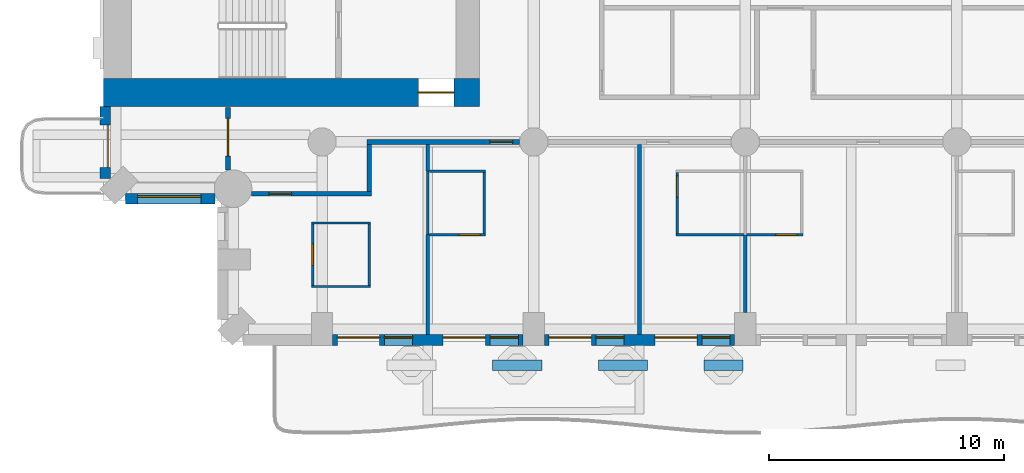
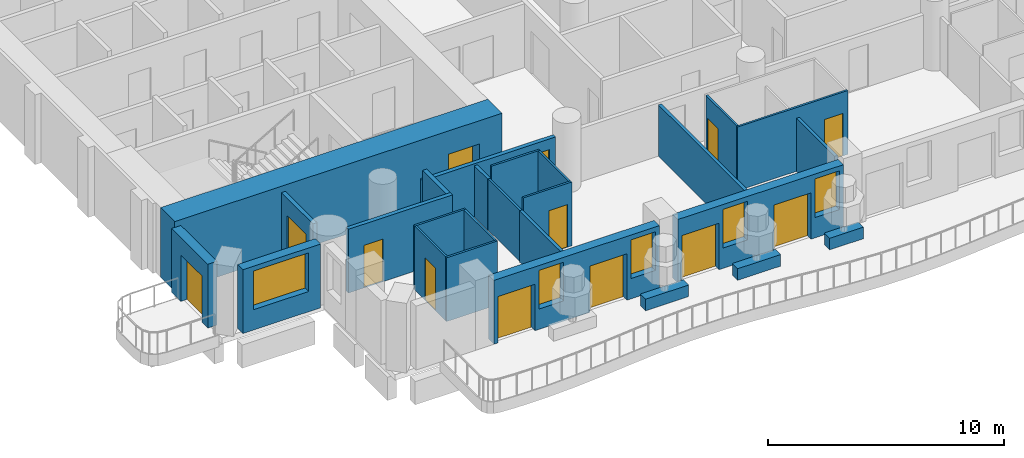
# One storey, part 3 of 20: 26 walls, 13 doors, 5 windows, 18 openings.
"""IFC4 building model written with IfcOpenShell, lengths in metres."""

from ifc_helpers import new_model, si_unit, direction, frame, frame_2d, origin, place, context, subcontext, project, spatial, rectangle, extrude, material, layer, layer_set, type_object, element, fill, save


model = new_model("IFC4")

# Units and contexts
model_context = context("Model", 3, precision=1e-05, world=origin(), true_north=direction((0.0, 1.0)))
body_context = subcontext(model_context, "Body", "Model", "MODEL_VIEW")
ifc_project = project(units=[si_unit("LENGTHUNIT", "METRE"), si_unit("AREAUNIT", "SQUARE_METRE"), si_unit("VOLUMEUNIT", "CUBIC_METRE"), si_unit("PLANEANGLEUNIT", "RADIAN"), si_unit("MASSUNIT", "GRAM", prefix="KILO")], contexts=[model_context])

# Site, building, storey
site_placement = place(None, origin())
site = spatial("IfcSite", under=ifc_project, at=site_placement, CompositionType="ELEMENT")
building_placement = place(site_placement, origin())
building = spatial("IfcBuilding", under=site, at=building_placement, Name="Cypress Arch Tower", CompositionType="ELEMENT")
storey_placement = place(building_placement, frame((0.0, 0.0, 95.10009765625)))
storey = spatial("IfcBuildingStorey", under=building, at=storey_placement, Name="L18", CompositionType="ELEMENT", Elevation=95.10009765625)

# Walls
ifc_material_1 = material(Name="Concrete C40/50, waterproofed", Category="concrete")
ifc_layer_1 = layer(ifc_material_1, 0.449951171875)
ifc_layer_set_1 = layer_set([ifc_layer_1], Name="Balcony planter wall PW450")
wall_type_1 = type_object("IfcWallType", Name="Balcony planter wall PW450", PredefinedType="SOLIDWALL", material=ifc_layer_set_1)
for number, where, z_axis, x_axis, name in (
    (1, (-13.449951171875, -27.0, 0.0), (0.0, 0.0, 1.0), (1.0, 0.0, 0.0), "Balcony planter wall L18-A03.2"),
    (2, (-8.949951171875, -27.0, 0.0), (0.0, 0.0, 1.0), (1.0, 0.0, 0.0), "Balcony planter wall L18-A03.3"),
):
    element("IfcWall", number, at=place(storey_placement, frame(where, z_axis=z_axis, x_axis=x_axis)), inside=storey, type_object=wall_type_1, Name=name, PredefinedType="SOLIDWALL", context=body_context, shape_type="SweptSolid", body=[
        extrude(rectangle(XDim=2.099853515625, YDim=0.449951171875, at=frame_2d((1.0498046875, 0.0))), origin(), (0.0, 0.0, 1.0), 0.599853515625),
    ])
wall_1_placement = place(storey_placement, frame((-4.449951171875, -27.0, 0.0), z_axis=(0.0, 0.0, 1.0), x_axis=(1.0, 0.0, 0.0)))
element("IfcWall", 3, at=wall_1_placement, inside=storey, type_object=wall_type_1, Name="Balcony planter wall L18-A03.4", PredefinedType="SOLIDWALL", context=body_context, shape_type="SweptSolid", body=[
    extrude(rectangle(XDim=1.64990234375, YDim=0.449951171875, at=frame_2d((0.824951171875, 0.0))), origin(), (0.0, 0.0, 1.0), 0.599853515625),
])

# Wall, opening, door
ifc_material_2 = material(Name="Brick (red buff blend)", Category="masonry")
ifc_layer_2 = layer(ifc_material_2, 0.449951171875)
ifc_layer_set_2 = layer_set([ifc_layer_2], Name="Brick pier and spandrel wall BW450")
wall_type_2 = type_object("IfcWallType", Name="Brick pier and spandrel wall BW450", PredefinedType="SOLIDWALL", material=ifc_layer_set_2)
wall_2_placement = place(storey_placement, frame((-29.925048828125, -16.0, 0.0), z_axis=(0.0, 0.0, 1.0), x_axis=(0.0, -1.0, 0.0)))
wall_2 = element("IfcWall", 4, at=wall_2_placement, inside=storey, type_object=wall_type_2, Name="Brick wall L18 A00.0.1", PredefinedType="SOLIDWALL", context=body_context, shape_type="SweptSolid", body=[
    extrude(rectangle(XDim=3.063720703125, YDim=0.449951171875, at=frame_2d((1.53173828125, 0.0))), origin(), (0.0, 0.0, 1.0), 3.2998046875),
])
opening_1_placement = place(wall_2_placement, frame((0.78173828125, 0.0, 0.0)))
opening_1 = element("IfcOpeningElement", 5, at=opening_1_placement, cuts=wall_2, Name="Opening D-L18-A00.0.1.9", PredefinedType="OPENING", context=body_context, shape_type="SweptSolid", body=[
    extrude(rectangle(XDim=1.800048828125, YDim=2.39990234375, at=frame_2d((0.89990234375, 1.199951171875))), frame((0.0, 0.23486328125, 0.0), z_axis=(0.0, -1.0, 0.0), x_axis=(1.0, 0.0, 0.0)), (0.0, 0.0, 1.0), 0.469970703125),
])
ifc_material_3 = material(Name="Anodised aluminium, bronze finish, laminated low-emissivity double glazing, large-missile impact rated", Category="aluminium")
door_type_1 = type_object("IfcDoorType", Name="Balcony sliding door 1800x2400", OperationType="SLIDING_TO_LEFT", PredefinedType="DOOR", material=ifc_material_3)
door_1_placement = place(opening_1_placement, origin())
door_1 = element("IfcDoor", 6, at=door_1_placement, inside=storey, type_object=door_type_1, Name="Balcony door L18 A00.0.1.9", OperationType="SLIDING_TO_LEFT", OverallHeight=2.39990234375, OverallWidth=1.800048828125, PredefinedType="DOOR", context=body_context, shape_type="SweptSolid", body=[
    extrude(rectangle(XDim=1.800048828125, YDim=2.39990234375, at=frame_2d((0.89990234375, 1.199951171875))), frame((0.0, 0.1298828125, 0.0), z_axis=(0.0, -1.0, 0.0), x_axis=(1.0, 0.0, 0.0)), (0.0, 0.0, 1.0), 0.050048828125),
])
fill(opening_1, door_1)

# Wall, opening, window
wall_3_placement = place(storey_placement, frame((-29.063720703125, -19.925048828125, 0.0), z_axis=(0.0, 0.0, 1.0), x_axis=(1.0, 0.0, 0.0)))
wall_3 = element("IfcWall", 7, at=wall_3_placement, inside=storey, type_object=wall_type_2, Name="Brick wall L18 A01.0", PredefinedType="SOLIDWALL", context=body_context, shape_type="SweptSolid", body=[
    extrude(rectangle(XDim=3.80517578125, YDim=0.449951171875, at=frame_2d((1.902587890625, 0.0))), origin(), (0.0, 0.0, 1.0), 3.2998046875),
])
opening_2_placement = place(wall_3_placement, frame((0.513671875, 0.0, 1.050048828125)))
opening_2 = element("IfcOpeningElement", 8, at=opening_2_placement, cuts=wall_3, Name="Opening W270H", PredefinedType="OPENING", context=body_context, shape_type="SweptSolid", body=[
    extrude(rectangle(XDim=2.699951171875, YDim=2.0, at=frame_2d((1.35009765625, 1.0))), frame((0.0, 0.23486328125, 0.0), z_axis=(0.0, -1.0, 0.0), x_axis=(1.0, 0.0, 0.0)), (0.0, 0.0, 1.0), 0.469970703125),
])
ifc_material_4 = material(Name="Anodised aluminium, bronze finish, clear low-emissivity double glazing", Category="aluminium")
window_type_1 = type_object("IfcWindowType", Name="Window Hotel 2700x2000", PartitioningType="SINGLE_PANEL", PredefinedType="WINDOW", material=ifc_material_4)
window_1_placement = place(opening_2_placement, origin())
window_1 = element("IfcWindow", 9, at=window_1_placement, inside=storey, type_object=window_type_1, Name="Window L18 A01.0.1", OverallHeight=2.0, OverallWidth=2.699951171875, PartitioningType="SINGLE_PANEL", PredefinedType="WINDOW", context=body_context, shape_type="SweptSolid", body=[
    extrude(rectangle(XDim=2.699951171875, YDim=2.0, at=frame_2d((1.35009765625, 1.0))), frame((0.0, 0.135009765625, 0.0), z_axis=(0.0, -1.0, 0.0), x_axis=(1.0, 0.0, 0.0)), (0.0, 0.0, 1.0), 0.06005859375),
])
fill(opening_2, window_1)

# Wall, openings, doors, windows
wall_4_placement = place(storey_placement, frame((-20.25, -25.925048828125, 0.0), z_axis=(0.0, 0.0, 1.0), x_axis=(1.0, 0.0, 0.0)))
wall_4 = element("IfcWall", 10, at=wall_4_placement, inside=storey, type_object=wall_type_2, Name="Brick wall L18 A03.1", PredefinedType="SOLIDWALL", context=body_context, shape_type="SweptSolid", body=[
    extrude(rectangle(XDim=8.10009765625, YDim=0.449951171875, at=frame_2d((4.050048828125, 0.0))), origin(), (0.0, 0.0, 1.0), 3.2998046875),
])
opening_3_placement = place(wall_4_placement, frame((0.199951171875, 0.0, 0.0)))
opening_3 = element("IfcOpeningElement", 11, at=opening_3_placement, cuts=wall_4, Name="Opening D-L18-A03.1.1", PredefinedType="OPENING", context=body_context, shape_type="SweptSolid", body=[
    extrude(rectangle(XDim=1.800048828125, YDim=2.39990234375, at=frame_2d((0.89990234375, 1.199951171875))), frame((0.0, 0.23486328125, 0.0), z_axis=(0.0, -1.0, 0.0), x_axis=(1.0, 0.0, 0.0)), (0.0, 0.0, 1.0), 0.469970703125),
])
opening_4_placement = place(wall_4_placement, frame((2.199951171875, 0.0, 1.050048828125)))
opening_4 = element("IfcOpeningElement", 12, at=opening_4_placement, cuts=wall_4, Name="Opening W120HD", PredefinedType="OPENING", context=body_context, shape_type="SweptSolid", body=[
    extrude(rectangle(XDim=1.199951171875, YDim=2.0, at=frame_2d((0.60009765625, 1.0))), frame((0.0, 0.23486328125, 0.0), z_axis=(0.0, -1.0, 0.0), x_axis=(1.0, 0.0, 0.0)), (0.0, 0.0, 1.0), 0.469970703125),
])
opening_5_placement = place(wall_4_placement, frame((4.699951171875, 0.0, 0.0)))
opening_5 = element("IfcOpeningElement", 13, at=opening_5_placement, cuts=wall_4, Name="Opening D-L18-A03.1.2", PredefinedType="OPENING", context=body_context, shape_type="SweptSolid", body=[
    extrude(rectangle(XDim=1.800048828125, YDim=2.39990234375, at=frame_2d((0.89990234375, 1.199951171875))), frame((0.0, 0.23486328125, 0.0), z_axis=(0.0, -1.0, 0.0), x_axis=(1.0, 0.0, 0.0)), (0.0, 0.0, 1.0), 0.469970703125),
])
opening_6_placement = place(wall_4_placement, frame((6.699951171875, 0.0, 1.050048828125)))
opening_6 = element("IfcOpeningElement", 14, at=opening_6_placement, cuts=wall_4, Name="Opening W120HD", PredefinedType="OPENING", context=body_context, shape_type="SweptSolid", body=[
    extrude(rectangle(XDim=1.199951171875, YDim=2.0, at=frame_2d((0.60009765625, 1.0))), frame((0.0, 0.23486328125, 0.0), z_axis=(0.0, -1.0, 0.0), x_axis=(1.0, 0.0, 0.0)), (0.0, 0.0, 1.0), 0.469970703125),
])
door_2_placement = place(opening_3_placement, origin())
door_2 = element("IfcDoor", 15, at=door_2_placement, inside=storey, type_object=door_type_1, Name="Balcony door L18 A03.1.1", OperationType="SLIDING_TO_LEFT", OverallHeight=2.39990234375, OverallWidth=1.800048828125, PredefinedType="DOOR", context=body_context, shape_type="SweptSolid", body=[
    extrude(rectangle(XDim=1.800048828125, YDim=2.39990234375, at=frame_2d((0.89990234375, 1.199951171875))), frame((0.0, 0.1298828125, 0.0), z_axis=(0.0, -1.0, 0.0), x_axis=(1.0, 0.0, 0.0)), (0.0, 0.0, 1.0), 0.050048828125),
])
fill(opening_3, door_2)
door_3_placement = place(opening_5_placement, origin())
door_3 = element("IfcDoor", 16, at=door_3_placement, inside=storey, type_object=door_type_1, Name="Balcony door L18 A03.1.2", OperationType="SLIDING_TO_LEFT", OverallHeight=2.39990234375, OverallWidth=1.800048828125, PredefinedType="DOOR", context=body_context, shape_type="SweptSolid", body=[
    extrude(rectangle(XDim=1.800048828125, YDim=2.39990234375, at=frame_2d((0.89990234375, 1.199951171875))), frame((0.0, 0.1298828125, 0.0), z_axis=(0.0, -1.0, 0.0), x_axis=(1.0, 0.0, 0.0)), (0.0, 0.0, 1.0), 0.050048828125),
])
fill(opening_5, door_3)
ifc_material_5 = material(Name="Anodised aluminium, bronze finish, laminated low-emissivity double glazing, large-missile impact rated", Category="aluminium")
window_type_2 = type_object("IfcWindowType", Name="Window Hotel 1200x2000 debris-rated", PartitioningType="SINGLE_PANEL", PredefinedType="WINDOW", material=ifc_material_5)
window_2_placement = place(opening_4_placement, origin())
window_2 = element("IfcWindow", 17, at=window_2_placement, inside=storey, type_object=window_type_2, Name="Window L18 A03.1.1", OverallHeight=2.0, OverallWidth=1.199951171875, PartitioningType="SINGLE_PANEL", PredefinedType="WINDOW", context=body_context, shape_type="SweptSolid", body=[
    extrude(rectangle(XDim=1.199951171875, YDim=2.0, at=frame_2d((0.60009765625, 1.0))), frame((0.0, 0.135009765625, 0.0), z_axis=(0.0, -1.0, 0.0), x_axis=(1.0, 0.0, 0.0)), (0.0, 0.0, 1.0), 0.06005859375),
])
fill(opening_4, window_2)
window_3_placement = place(opening_6_placement, origin())
window_3 = element("IfcWindow", 18, at=window_3_placement, inside=storey, type_object=window_type_2, Name="Window L18 A03.1.2", OverallHeight=2.0, OverallWidth=1.199951171875, PartitioningType="SINGLE_PANEL", PredefinedType="WINDOW", context=body_context, shape_type="SweptSolid", body=[
    extrude(rectangle(XDim=1.199951171875, YDim=2.0, at=frame_2d((0.60009765625, 1.0))), frame((0.0, 0.135009765625, 0.0), z_axis=(0.0, -1.0, 0.0), x_axis=(1.0, 0.0, 0.0)), (0.0, 0.0, 1.0), 0.06005859375),
])
fill(opening_6, window_3)

wall_5_placement = place(storey_placement, frame((-11.25, -25.925048828125, 0.0), z_axis=(0.0, 0.0, 1.0), x_axis=(1.0, 0.0, 0.0)))
wall_5 = element("IfcWall", 19, at=wall_5_placement, inside=storey, type_object=wall_type_2, Name="Brick wall L18 A03.2", PredefinedType="SOLIDWALL", context=body_context, shape_type="SweptSolid", body=[
    extrude(rectangle(XDim=8.10009765625, YDim=0.449951171875, at=frame_2d((4.050048828125, 0.0))), origin(), (0.0, 0.0, 1.0), 3.2998046875),
])
opening_7_placement = place(wall_5_placement, frame((0.199951171875, 0.0, 0.0)))
opening_7 = element("IfcOpeningElement", 20, at=opening_7_placement, cuts=wall_5, Name="Opening D-L18-A03.2.1", PredefinedType="OPENING", context=body_context, shape_type="SweptSolid", body=[
    extrude(rectangle(XDim=1.800048828125, YDim=2.39990234375, at=frame_2d((0.89990234375, 1.199951171875))), frame((0.0, 0.23486328125, 0.0), z_axis=(0.0, -1.0, 0.0), x_axis=(1.0, 0.0, 0.0)), (0.0, 0.0, 1.0), 0.469970703125),
])
opening_8_placement = place(wall_5_placement, frame((2.199951171875, 0.0, 1.050048828125)))
opening_8 = element("IfcOpeningElement", 21, at=opening_8_placement, cuts=wall_5, Name="Opening W120HD", PredefinedType="OPENING", context=body_context, shape_type="SweptSolid", body=[
    extrude(rectangle(XDim=1.199951171875, YDim=2.0, at=frame_2d((0.60009765625, 1.0))), frame((0.0, 0.23486328125, 0.0), z_axis=(0.0, -1.0, 0.0), x_axis=(1.0, 0.0, 0.0)), (0.0, 0.0, 1.0), 0.469970703125),
])
opening_9_placement = place(wall_5_placement, frame((4.699951171875, 0.0, 0.0)))
opening_9 = element("IfcOpeningElement", 22, at=opening_9_placement, cuts=wall_5, Name="Opening D-L18-A03.2.2", PredefinedType="OPENING", context=body_context, shape_type="SweptSolid", body=[
    extrude(rectangle(XDim=1.800048828125, YDim=2.39990234375, at=frame_2d((0.89990234375, 1.199951171875))), frame((0.0, 0.23486328125, 0.0), z_axis=(0.0, -1.0, 0.0), x_axis=(1.0, 0.0, 0.0)), (0.0, 0.0, 1.0), 0.469970703125),
])
opening_10_placement = place(wall_5_placement, frame((6.699951171875, 0.0, 1.050048828125)))
opening_10 = element("IfcOpeningElement", 23, at=opening_10_placement, cuts=wall_5, Name="Opening W120HD", PredefinedType="OPENING", context=body_context, shape_type="SweptSolid", body=[
    extrude(rectangle(XDim=1.199951171875, YDim=2.0, at=frame_2d((0.60009765625, 1.0))), frame((0.0, 0.23486328125, 0.0), z_axis=(0.0, -1.0, 0.0), x_axis=(1.0, 0.0, 0.0)), (0.0, 0.0, 1.0), 0.469970703125),
])
door_4_placement = place(opening_7_placement, origin())
door_4 = element("IfcDoor", 24, at=door_4_placement, inside=storey, type_object=door_type_1, Name="Balcony door L18 A03.2.1", OperationType="SLIDING_TO_LEFT", OverallHeight=2.39990234375, OverallWidth=1.800048828125, PredefinedType="DOOR", context=body_context, shape_type="SweptSolid", body=[
    extrude(rectangle(XDim=1.800048828125, YDim=2.39990234375, at=frame_2d((0.89990234375, 1.199951171875))), frame((0.0, 0.1298828125, 0.0), z_axis=(0.0, -1.0, 0.0), x_axis=(1.0, 0.0, 0.0)), (0.0, 0.0, 1.0), 0.050048828125),
])
fill(opening_7, door_4)
door_5_placement = place(opening_9_placement, origin())
door_5 = element("IfcDoor", 25, at=door_5_placement, inside=storey, type_object=door_type_1, Name="Balcony door L18 A03.2.2", OperationType="SLIDING_TO_LEFT", OverallHeight=2.39990234375, OverallWidth=1.800048828125, PredefinedType="DOOR", context=body_context, shape_type="SweptSolid", body=[
    extrude(rectangle(XDim=1.800048828125, YDim=2.39990234375, at=frame_2d((0.89990234375, 1.199951171875))), frame((0.0, 0.1298828125, 0.0), z_axis=(0.0, -1.0, 0.0), x_axis=(1.0, 0.0, 0.0)), (0.0, 0.0, 1.0), 0.050048828125),
])
fill(opening_9, door_5)
window_4_placement = place(opening_8_placement, origin())
window_4 = element("IfcWindow", 26, at=window_4_placement, inside=storey, type_object=window_type_2, Name="Window L18 A03.2.1", OverallHeight=2.0, OverallWidth=1.199951171875, PartitioningType="SINGLE_PANEL", PredefinedType="WINDOW", context=body_context, shape_type="SweptSolid", body=[
    extrude(rectangle(XDim=1.199951171875, YDim=2.0, at=frame_2d((0.60009765625, 1.0))), frame((0.0, 0.135009765625, 0.0), z_axis=(0.0, -1.0, 0.0), x_axis=(1.0, 0.0, 0.0)), (0.0, 0.0, 1.0), 0.06005859375),
])
fill(opening_8, window_4)
window_5_placement = place(opening_10_placement, origin())
window_5 = element("IfcWindow", 27, at=window_5_placement, inside=storey, type_object=window_type_2, Name="Window L18 A03.2.2", OverallHeight=2.0, OverallWidth=1.199951171875, PartitioningType="SINGLE_PANEL", PredefinedType="WINDOW", context=body_context, shape_type="SweptSolid", body=[
    extrude(rectangle(XDim=1.199951171875, YDim=2.0, at=frame_2d((0.60009765625, 1.0))), frame((0.0, 0.135009765625, 0.0), z_axis=(0.0, -1.0, 0.0), x_axis=(1.0, 0.0, 0.0)), (0.0, 0.0, 1.0), 0.06005859375),
])
fill(opening_10, window_5)

# Wall, opening, door
ifc_material_6 = material(Name="Concrete C80/95", Category="concrete")
ifc_layer_3 = layer(ifc_material_6, 1.199951171875)
ifc_layer_set_3 = layer_set([ifc_layer_3], Name="Core wall CW1200 C80/95")
wall_type_3 = type_object("IfcWallType", Name="Core wall CW1200 C80/95", PredefinedType="SHEAR", material=ifc_layer_set_3)
wall_6_placement = place(storey_placement, frame((-30.0, -15.39990234375, 0.0), z_axis=(0.0, 0.0, 1.0), x_axis=(1.0, 0.0, 0.0)))
wall_6 = element("IfcWall", 28, at=wall_6_placement, inside=storey, type_object=wall_type_3, Name="Core wall", PredefinedType="SHEAR", context=body_context, shape_type="SweptSolid", body=[
    extrude(rectangle(XDim=16.0, YDim=1.199951171875, at=frame_2d((8.0, 0.0))), origin(), (0.0, 0.0, 1.0), 3.599853515625),
])
opening_11_placement = place(wall_6_placement, frame((13.39990234375, 0.0, 0.0)))
opening_11 = element("IfcOpeningElement", 29, at=opening_11_placement, cuts=wall_6, Name="Opening D07", PredefinedType="OPENING", context=body_context, shape_type="SweptSolid", body=[
    extrude(rectangle(XDim=1.5, YDim=2.39990234375, at=frame_2d((0.75, 1.199951171875))), frame((0.0, 0.60986328125, 0.0), z_axis=(0.0, -1.0, 0.0), x_axis=(1.0, 0.0, 0.0)), (0.0, 0.0, 1.0), 1.219970703125),
])
ifc_material_7 = material(Name="Steel framed glazed door, fire resisting", Category="steel")
door_type_2 = type_object("IfcDoorType", Name="Lobby door D07 1500x2400", OperationType="DOUBLE_DOOR_SINGLE_SWING", PredefinedType="DOOR", material=ifc_material_7)
door_6_placement = place(opening_11_placement, origin())
door_6 = element("IfcDoor", 30, at=door_6_placement, inside=storey, type_object=door_type_2, Name="Lobby door", OperationType="DOUBLE_DOOR_SINGLE_SWING", OverallHeight=2.39990234375, OverallWidth=1.5, PredefinedType="DOOR", context=body_context, shape_type="SweptSolid", body=[
    extrude(rectangle(XDim=1.5, YDim=2.39990234375, at=frame_2d((0.75, 1.199951171875))), frame((0.0, 0.02490234375, 0.0), z_axis=(0.0, -1.0, 0.0), x_axis=(1.0, 0.0, 0.0)), (0.0, 0.0, 1.0), 0.050048828125),
])
fill(opening_11, door_6)

ifc_material_8 = material(Name="Concrete blockwork, plastered, rated", Category="masonry")
ifc_layer_4 = layer(ifc_material_8, 0.199951171875)
ifc_layer_set_4 = layer_set([ifc_layer_4], Name="Corridor wall FW200")
wall_type_4 = type_object("IfcWallType", Name="Corridor wall FW200", PredefinedType="PARTITIONING", material=ifc_layer_set_4)
wall_7_placement = place(storey_placement, frame((-24.699951171875, -18.7001953125, 0.0), z_axis=(0.0, 0.0, 1.0), x_axis=(0.0, 1.0, 0.0)))
wall_7 = element("IfcWall", 31, at=wall_7_placement, inside=storey, type_object=wall_type_4, Name="Corridor wall", PredefinedType="PARTITIONING", context=body_context, shape_type="SweptSolid", body=[
    extrude(rectangle(XDim=2.670166015625, YDim=0.199951171875, at=frame_2d((1.3349609375, 0.0))), origin(), (0.0, 0.0, 1.0), 3.2998046875),
])
opening_12_placement = place(wall_7_placement, frame((0.60009765625, 0.0, 0.0)))
opening_12 = element("IfcOpeningElement", 32, at=opening_12_placement, cuts=wall_7, Name="Opening D10", PredefinedType="OPENING", context=body_context, shape_type="SweptSolid", body=[
    extrude(rectangle(XDim=1.60009765625, YDim=2.39990234375, at=frame_2d((0.800048828125, 1.199951171875))), frame((0.0, 0.10986328125, 0.0), z_axis=(0.0, -1.0, 0.0), x_axis=(1.0, 0.0, 0.0)), (0.0, 0.0, 1.0), 0.219970703125),
])
ifc_material_9 = material(Name="Black aluminium glazed door", Category="aluminium")
door_type_3 = type_object("IfcDoorType", Name="Amenity door D10 1600x2400", OperationType="DOUBLE_DOOR_SINGLE_SWING", PredefinedType="DOOR", material=ifc_material_9)
door_7_placement = place(opening_12_placement, origin())
door_7 = element("IfcDoor", 33, at=door_7_placement, inside=storey, type_object=door_type_3, Name="Amenity door", OperationType="DOUBLE_DOOR_SINGLE_SWING", OverallHeight=2.39990234375, OverallWidth=1.60009765625, PredefinedType="DOOR", context=body_context, shape_type="SweptSolid", body=[
    extrude(rectangle(XDim=1.60009765625, YDim=2.39990234375, at=frame_2d((0.800048828125, 1.199951171875))), frame((0.0, 0.02490234375, 0.0), z_axis=(0.0, -1.0, 0.0), x_axis=(1.0, 0.0, 0.0)), (0.0, 0.0, 1.0), 0.050048828125),
])
fill(opening_12, door_7)

wall_8_placement = place(storey_placement, frame((-23.7001953125, -19.699951171875, 0.0), z_axis=(0.0, 0.0, 1.0), x_axis=(1.0, 0.0, 0.0)))
wall_8 = element("IfcWall", 34, at=wall_8_placement, inside=storey, type_object=wall_type_4, Name="Corridor wall", PredefinedType="PARTITIONING", context=body_context, shape_type="SweptSolid", body=[
    extrude(rectangle(XDim=5.10009765625, YDim=0.199951171875, at=frame_2d((2.550048828125, 0.0))), origin(), (0.0, 0.0, 1.0), 3.2998046875),
])
opening_13_placement = place(wall_8_placement, frame((0.75, 0.0, 0.0)))
opening_13 = element("IfcOpeningElement", 35, at=opening_13_placement, cuts=wall_8, Name="Opening D02", PredefinedType="OPENING", context=body_context, shape_type="SweptSolid", body=[
    extrude(rectangle(XDim=0.949951171875, YDim=2.199951171875, at=frame_2d((0.47509765625, 1.10009765625))), frame((0.0, 0.10986328125, 0.0), z_axis=(0.0, -1.0, 0.0), x_axis=(1.0, 0.0, 0.0)), (0.0, 0.0, 1.0), 0.219970703125),
])
ifc_material_10 = material(Name="Timber flush door, fire resisting", Category="wood")
door_type_4 = type_object("IfcDoorType", Name="Room door D02 950x2200", OperationType="SINGLE_SWING_LEFT", PredefinedType="DOOR", material=ifc_material_10)
door_8_placement = place(opening_13_placement, origin())
door_8 = element("IfcDoor", 36, at=door_8_placement, inside=storey, type_object=door_type_4, Name="Room door", OperationType="SINGLE_SWING_RIGHT", OverallHeight=2.199951171875, OverallWidth=0.949951171875, PredefinedType="DOOR", context=body_context, shape_type="SweptSolid", body=[
    extrude(rectangle(XDim=0.949951171875, YDim=2.199951171875, at=frame_2d((0.47509765625, 1.10009765625))), frame((0.0, 0.02490234375, 0.0), z_axis=(0.0, -1.0, 0.0), x_axis=(1.0, 0.0, 0.0)), (0.0, 0.0, 1.0), 0.050048828125),
])
fill(opening_13, door_8)

# Wall
wall_9_placement = place(storey_placement, frame((-18.699951171875, -19.60009765625, 0.0), z_axis=(0.0, 0.0, 1.0), x_axis=(0.0, 1.0, 0.0)))
element("IfcWall", 37, at=wall_9_placement, inside=storey, type_object=wall_type_4, Name="Corridor wall", PredefinedType="PARTITIONING", context=body_context, shape_type="SweptSolid", body=[
    extrude(rectangle(XDim=2.0, YDim=0.199951171875, at=frame_2d((1.0, 0.0))), origin(), (0.0, 0.0, 1.0), 3.2998046875),
])

# Wall, opening, door
wall_10_placement = place(storey_placement, frame((-18.800048828125, -17.5, 0.0), z_axis=(0.0, 0.0, 1.0), x_axis=(1.0, 0.0, 0.0)))
wall_10 = element("IfcWall", 38, at=wall_10_placement, inside=storey, type_object=wall_type_4, Name="Corridor wall", PredefinedType="PARTITIONING", context=body_context, shape_type="SweptSolid", body=[
    extrude(rectangle(XDim=6.5, YDim=0.199951171875, at=frame_2d((3.25, 0.0))), origin(), (0.0, 0.0, 1.0), 2.75),
])
opening_14_placement = place(wall_10_placement, frame((5.25, 0.0, 0.0)))
opening_14 = element("IfcOpeningElement", 39, at=opening_14_placement, cuts=wall_10, Name="Opening D02", PredefinedType="OPENING", context=body_context, shape_type="SweptSolid", body=[
    extrude(rectangle(XDim=0.949951171875, YDim=2.199951171875, at=frame_2d((0.47509765625, 1.10009765625))), frame((0.0, 0.10986328125, 0.0), z_axis=(0.0, -1.0, 0.0), x_axis=(1.0, 0.0, 0.0)), (0.0, 0.0, 1.0), 0.219970703125),
])
door_9_placement = place(opening_14_placement, origin())
door_9 = element("IfcDoor", 40, at=door_9_placement, inside=storey, type_object=door_type_4, Name="Room door", OperationType="SINGLE_SWING_LEFT", OverallHeight=2.199951171875, OverallWidth=0.949951171875, PredefinedType="DOOR", context=body_context, shape_type="SweptSolid", body=[
    extrude(rectangle(XDim=0.949951171875, YDim=2.199951171875, at=frame_2d((0.47509765625, 1.10009765625))), frame((0.0, 0.02490234375, 0.0), z_axis=(0.0, -1.0, 0.0), x_axis=(1.0, 0.0, 0.0)), (0.0, 0.0, 1.0), 0.050048828125),
])
fill(opening_14, door_9)

# Walls
ifc_material_11 = material(Name="Blockwork, plastered both sides", Category="masonry")
ifc_layer_5 = layer(ifc_material_11, 0.14990234375)
ifc_layer_set_5 = layer_set([ifc_layer_5], Name="Partition PW150")
wall_type_5 = type_object("IfcWallType", Name="Partition PW150", PredefinedType="PARTITIONING", material=ifc_layer_set_5)
wall_11_placement = place(storey_placement, frame((-16.199951171875, -25.699951171875, 0.0), z_axis=(0.0, 0.0, 1.0), x_axis=(0.0, 1.0, 0.0)))
element("IfcWall", 41, at=wall_11_placement, inside=storey, type_object=wall_type_5, Name="Partition", PredefinedType="PARTITIONING", context=body_context, shape_type="SweptSolid", body=[
    extrude(rectangle(XDim=4.27001953125, YDim=0.14990234375, at=frame_2d((2.135009765625, 0.0))), origin(), (0.0, 0.0, 1.0), 2.64990234375),
])
wall_12_placement = place(storey_placement, frame((-16.199951171875, -18.72998046875, 0.0), z_axis=(0.0, 0.0, 1.0), x_axis=(0.0, 1.0, 0.0)))
element("IfcWall", 42, at=wall_12_placement, inside=storey, type_object=wall_type_5, Name="Partition", PredefinedType="PARTITIONING", context=body_context, shape_type="SweptSolid", body=[
    extrude(rectangle(XDim=1.1298828125, YDim=0.14990234375, at=frame_2d((0.56494140625, 0.0))), origin(), (0.0, 0.0, 1.0), 2.64990234375),
])
wall_13_placement = place(storey_placement, frame((-7.199951171875, -25.699951171875, 0.0), z_axis=(0.0, 0.0, 1.0), x_axis=(0.0, 1.0, 0.0)))
element("IfcWall", 43, at=wall_13_placement, inside=storey, type_object=wall_type_5, Name="Partition", PredefinedType="PARTITIONING", context=body_context, shape_type="SweptSolid", body=[
    extrude(rectangle(XDim=8.099853515625, YDim=0.14990234375, at=frame_2d((4.0498046875, 0.0))), origin(), (0.0, 0.0, 1.0), 2.64990234375),
])
wall_14_placement = place(storey_placement, frame((-2.699951171875, -24.75, 0.0), z_axis=(0.0, 0.0, 1.0), x_axis=(0.0, 1.0, 0.0)))
element("IfcWall", 44, at=wall_14_placement, inside=storey, type_object=wall_type_5, Name="Partition", PredefinedType="PARTITIONING", context=body_context, shape_type="SweptSolid", body=[
    extrude(rectangle(XDim=3.300048828125, YDim=0.14990234375, at=frame_2d((1.64990234375, 0.0))), origin(), (0.0, 0.0, 1.0), 2.75),
])

# Wall, opening, door
ifc_material_12 = material(Name="Moisture resistant board on steel studs, tiled", Category="steel")
ifc_layer_6 = layer(ifc_material_12, 0.10009765625)
ifc_layer_set_6 = layer_set([ifc_layer_6], Name="Wet wall PW100")
wall_type_6 = type_object("IfcWallType", Name="Wet wall PW100", PredefinedType="PARTITIONING", material=ifc_layer_set_6)
wall_15_placement = place(storey_placement, frame((-21.10009765625, -23.60009765625, 0.0), z_axis=(0.0, 0.0, 1.0), x_axis=(0.0, 1.0, 0.0)))
wall_15 = element("IfcWall", 45, at=wall_15_placement, inside=storey, type_object=wall_type_6, Name="Wet wall", PredefinedType="PARTITIONING", context=body_context, shape_type="SweptSolid", body=[
    extrude(rectangle(XDim=2.60009765625, YDim=0.10009765625, at=frame_2d((1.300048828125, 0.0))), origin(), (0.0, 0.0, 1.0), 3.2998046875),
])
opening_15_placement = place(wall_15_placement, frame((0.85009765625, 0.0, 0.0)))
opening_15 = element("IfcOpeningElement", 46, at=opening_15_placement, cuts=wall_15, Name="Opening D03", PredefinedType="OPENING", context=body_context, shape_type="SweptSolid", body=[
    extrude(rectangle(XDim=0.89990234375, YDim=2.199951171875, at=frame_2d((0.449951171875, 1.10009765625))), frame((0.0, 0.06005859375, 0.0), z_axis=(0.0, -1.0, 0.0), x_axis=(1.0, 0.0, 0.0)), (0.0, 0.0, 1.0), 0.1201171875),
])
ifc_material_13 = material(Name="Timber flush door, moisture resistant", Category="wood")
door_type_5 = type_object("IfcDoorType", Name="Bathroom door D03 900x2200", OperationType="SINGLE_SWING_LEFT", PredefinedType="DOOR", material=ifc_material_13)
door_10_placement = place(opening_15_placement, origin())
door_10 = element("IfcDoor", 47, at=door_10_placement, inside=storey, type_object=door_type_5, Name="Bathroom door", OperationType="SINGLE_SWING_LEFT", OverallHeight=2.199951171875, OverallWidth=0.89990234375, PredefinedType="DOOR", context=body_context, shape_type="SweptSolid", body=[
    extrude(rectangle(XDim=0.89990234375, YDim=2.199951171875, at=frame_2d((0.449951171875, 1.10009765625))), frame((0.0, 0.02490234375, 0.0), z_axis=(0.0, -1.0, 0.0), x_axis=(1.0, 0.0, 0.0)), (0.0, 0.0, 1.0), 0.050048828125),
])
fill(opening_15, door_10)

# Walls
for number, where, z_axis, x_axis, name in (
    (48, (-21.14990234375, -23.64990234375, 0.0), (0.0, 0.0, 1.0), (1.0, 0.0, 0.0), "Wet wall"),
    (49, (-21.14990234375, -20.949951171875, 0.0), (0.0, 0.0, 1.0), (1.0, 0.0, 0.0), "Wet wall"),
):
    element("IfcWall", number, at=place(storey_placement, frame(where, z_axis=z_axis, x_axis=x_axis)), inside=storey, type_object=wall_type_6, Name=name, PredefinedType="PARTITIONING", context=body_context, shape_type="SweptSolid", body=[
        extrude(rectangle(XDim=2.5, YDim=0.10009765625, at=frame_2d((1.25, 0.0))), origin(), (0.0, 0.0, 1.0), 3.2998046875),
    ])
wall_16_placement = place(storey_placement, frame((-18.699951171875, -23.60009765625, 0.0), z_axis=(0.0, 0.0, 1.0), x_axis=(0.0, 1.0, 0.0)))
element("IfcWall", 50, at=wall_16_placement, inside=storey, type_object=wall_type_6, Name="Wet wall", PredefinedType="PARTITIONING", context=body_context, shape_type="SweptSolid", body=[
    extrude(rectangle(XDim=2.60009765625, YDim=0.10009765625, at=frame_2d((1.300048828125, 0.0))), origin(), (0.0, 0.0, 1.0), 3.2998046875),
])
wall_17_placement = place(storey_placement, frame((-16.199951171875, -21.429931640625, 0.0), z_axis=(0.0, 0.0, 1.0), x_axis=(0.0, 1.0, 0.0)))
element("IfcWall", 51, at=wall_17_placement, inside=storey, type_object=wall_type_6, Name="Wet wall", PredefinedType="PARTITIONING", context=body_context, shape_type="SweptSolid", body=[
    extrude(rectangle(XDim=2.699951171875, YDim=0.10009765625, at=frame_2d((1.35009765625, 0.0))), origin(), (0.0, 0.0, 1.0), 2.64990234375),
])

# Wall, opening, door
wall_18_placement = place(storey_placement, frame((-16.125, -21.449951171875, 0.0), z_axis=(0.0, 0.0, 1.0), x_axis=(1.0, 0.0, 0.0)))
wall_18 = element("IfcWall", 52, at=wall_18_placement, inside=storey, type_object=wall_type_6, Name="Wet wall", PredefinedType="PARTITIONING", context=body_context, shape_type="SweptSolid", body=[
    extrude(rectangle(XDim=2.37109375, YDim=0.10009765625, at=frame_2d((1.185546875, 0.0))), origin(), (0.0, 0.0, 1.0), 3.2998046875),
])
opening_16_placement = place(wall_18_placement, frame((1.25, 0.0, 0.0)))
opening_16 = element("IfcOpeningElement", 53, at=opening_16_placement, cuts=wall_18, Name="Opening D03", PredefinedType="OPENING", context=body_context, shape_type="SweptSolid", body=[
    extrude(rectangle(XDim=0.89990234375, YDim=2.199951171875, at=frame_2d((0.449951171875, 1.10009765625))), frame((0.0, 0.06005859375, 0.0), z_axis=(0.0, -1.0, 0.0), x_axis=(1.0, 0.0, 0.0)), (0.0, 0.0, 1.0), 0.1201171875),
])
door_11_placement = place(opening_16_placement, origin())
door_11 = element("IfcDoor", 54, at=door_11_placement, inside=storey, type_object=door_type_5, Name="Bathroom door", OperationType="SINGLE_SWING_RIGHT", OverallHeight=2.199951171875, OverallWidth=0.89990234375, PredefinedType="DOOR", context=body_context, shape_type="SweptSolid", body=[
    extrude(rectangle(XDim=0.89990234375, YDim=2.199951171875, at=frame_2d((0.449951171875, 1.10009765625))), frame((0.0, 0.02490234375, 0.0), z_axis=(0.0, -1.0, 0.0), x_axis=(1.0, 0.0, 0.0)), (0.0, 0.0, 1.0), 0.050048828125),
])
fill(opening_16, door_11)

# Walls
wall_19_placement = place(storey_placement, frame((-16.125, -18.75, 0.0), z_axis=(0.0, 0.0, 1.0), x_axis=(1.0, 0.0, 0.0)))
element("IfcWall", 55, at=wall_19_placement, inside=storey, type_object=wall_type_6, Name="Wet wall", PredefinedType="PARTITIONING", context=body_context, shape_type="SweptSolid", body=[
    extrude(rectangle(XDim=2.37109375, YDim=0.10009765625, at=frame_2d((1.185546875, 0.0))), origin(), (0.0, 0.0, 1.0), 3.2998046875),
])
wall_20_placement = place(storey_placement, frame((-13.803955078125, -21.39990234375, 0.0), z_axis=(0.0, 0.0, 1.0), x_axis=(0.0, 1.0, 0.0)))
element("IfcWall", 56, at=wall_20_placement, inside=storey, type_object=wall_type_6, Name="Wet wall", PredefinedType="PARTITIONING", context=body_context, shape_type="SweptSolid", body=[
    extrude(rectangle(XDim=2.599853515625, YDim=0.10009765625, at=frame_2d((1.2998046875, 0.0))), origin(), (0.0, 0.0, 1.0), 3.2998046875),
])

# Wall, opening, door
wall_21_placement = place(storey_placement, frame((-5.595947265625, -21.39990234375, 0.0), z_axis=(0.0, 0.0, 1.0), x_axis=(0.0, 1.0, 0.0)))
wall_21 = element("IfcWall", 57, at=wall_21_placement, inside=storey, type_object=wall_type_6, Name="Wet wall", PredefinedType="PARTITIONING", context=body_context, shape_type="SweptSolid", body=[
    extrude(rectangle(XDim=2.599853515625, YDim=0.10009765625, at=frame_2d((1.2998046875, 0.0))), origin(), (0.0, 0.0, 1.0), 3.2998046875),
])
opening_17_placement = place(wall_21_placement, frame((1.550048828125, 0.0, 0.0)))
opening_17 = element("IfcOpeningElement", 58, at=opening_17_placement, cuts=wall_21, Name="Opening D03", PredefinedType="OPENING", context=body_context, shape_type="SweptSolid", body=[
    extrude(rectangle(XDim=0.89990234375, YDim=2.199951171875, at=frame_2d((0.449951171875, 1.10009765625))), frame((0.0, 0.06005859375, 0.0), z_axis=(0.0, -1.0, 0.0), x_axis=(1.0, 0.0, 0.0)), (0.0, 0.0, 1.0), 0.1201171875),
])
door_12_placement = place(opening_17_placement, origin())
door_12 = element("IfcDoor", 59, at=door_12_placement, inside=storey, type_object=door_type_5, Name="Bathroom door", OperationType="SINGLE_SWING_LEFT", OverallHeight=2.199951171875, OverallWidth=0.89990234375, PredefinedType="DOOR", context=body_context, shape_type="SweptSolid", body=[
    extrude(rectangle(XDim=0.89990234375, YDim=2.199951171875, at=frame_2d((0.449951171875, 1.10009765625))), frame((0.0, 0.02490234375, 0.0), z_axis=(0.0, -1.0, 0.0), x_axis=(1.0, 0.0, 0.0)), (0.0, 0.0, 1.0), 0.050048828125),
])
fill(opening_17, door_12)

wall_22_placement = place(storey_placement, frame((-5.64599609375, -21.449951171875, 0.0), z_axis=(0.0, 0.0, 1.0), x_axis=(1.0, 0.0, 0.0)))
wall_22 = element("IfcWall", 60, at=wall_22_placement, inside=storey, type_object=wall_type_6, Name="Wet wall", PredefinedType="PARTITIONING", context=body_context, shape_type="SweptSolid", body=[
    extrude(rectangle(XDim=5.39208984375, YDim=0.10009765625, at=frame_2d((2.696044921875, 0.0))), origin(), (0.0, 0.0, 1.0), 3.2998046875),
])
opening_18_placement = place(wall_22_placement, frame((4.25, 0.0, 0.0)))
opening_18 = element("IfcOpeningElement", 61, at=opening_18_placement, cuts=wall_22, Name="Opening D03", PredefinedType="OPENING", context=body_context, shape_type="SweptSolid", body=[
    extrude(rectangle(XDim=0.89990234375, YDim=2.199951171875, at=frame_2d((0.449951171875, 1.10009765625))), frame((0.0, 0.06005859375, 0.0), z_axis=(0.0, -1.0, 0.0), x_axis=(1.0, 0.0, 0.0)), (0.0, 0.0, 1.0), 0.1201171875),
])
door_13_placement = place(opening_18_placement, origin())
door_13 = element("IfcDoor", 62, at=door_13_placement, inside=storey, type_object=door_type_5, Name="Bathroom door", OperationType="SINGLE_SWING_RIGHT", OverallHeight=2.199951171875, OverallWidth=0.89990234375, PredefinedType="DOOR", context=body_context, shape_type="SweptSolid", body=[
    extrude(rectangle(XDim=0.89990234375, YDim=2.199951171875, at=frame_2d((0.449951171875, 1.10009765625))), frame((0.0, 0.02490234375, 0.0), z_axis=(0.0, -1.0, 0.0), x_axis=(1.0, 0.0, 0.0)), (0.0, 0.0, 1.0), 0.050048828125),
])
fill(opening_18, door_13)

save(model, "model.ifc")
